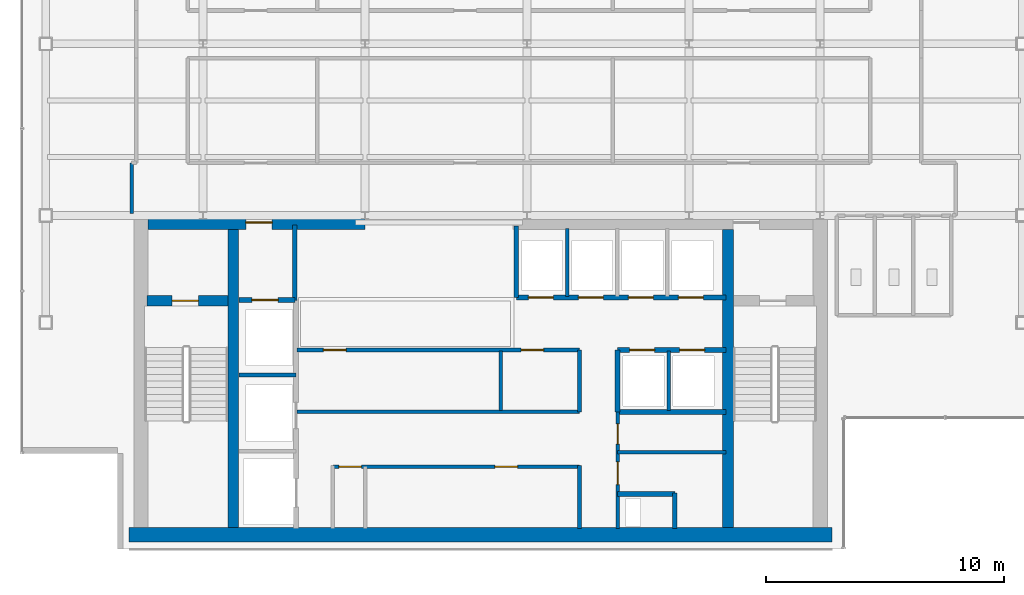
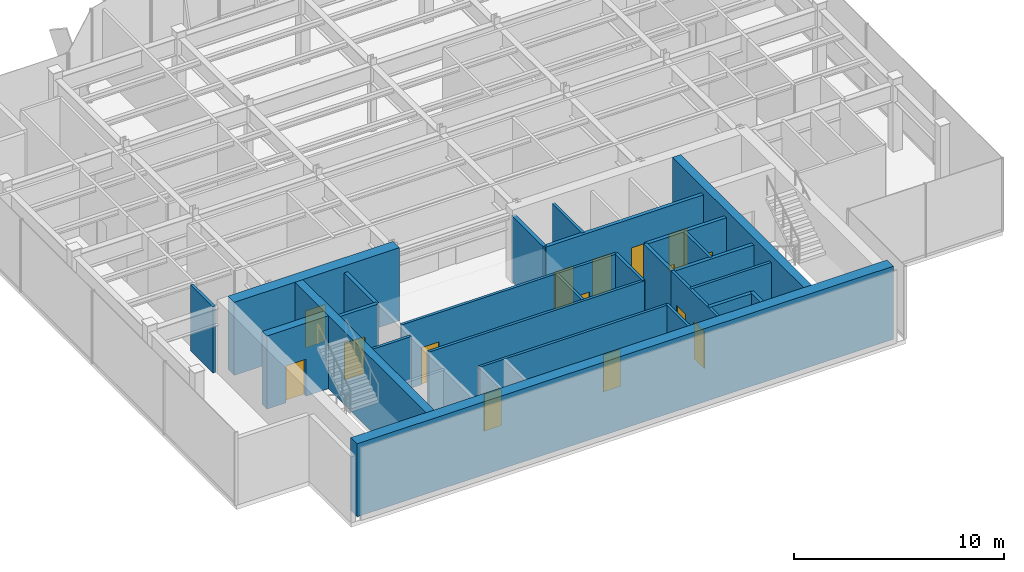
# One storey, part 19 of 24: 26 walls, 15 doors, 15 openings.
"""IFC4 building model written with IfcOpenShell, lengths in metres."""

from ifc_helpers import new_model, si_unit, derived_unit, direction, frame, frame_2d, origin, place, context, subcontext, project, spatial, rectangle, extrude, source, transform, mapped, material, layer, layer_set, type_object, element, fill, save


model = new_model("IFC4")

# Units and contexts
model_context = context("Model", 3, precision=1e-05, world=origin(), true_north=direction((0.0, 1.0)))
body_context = subcontext(model_context, "Body", "Model", "MODEL_VIEW")
ifc_project = project(units=[si_unit("LENGTHUNIT", "METRE"), si_unit("AREAUNIT", "SQUARE_METRE"), si_unit("VOLUMEUNIT", "CUBIC_METRE"), si_unit("PLANEANGLEUNIT", "RADIAN"), si_unit("MASSUNIT", "GRAM", prefix="KILO"), derived_unit("THERMALTRANSMITTANCEUNIT", [(si_unit("POWERUNIT", "WATT"), 1), (si_unit("LENGTHUNIT", "METRE"), -2), (si_unit("THERMODYNAMICTEMPERATUREUNIT", "KELVIN"), -1)])], contexts=[model_context])

# Site, building, storey
site_placement = place(None, origin())
site = spatial("IfcSite", under=ifc_project, at=site_placement, CompositionType="ELEMENT")
building_placement = place(site_placement, origin())
building = spatial("IfcBuilding", under=site, at=building_placement, Name="Skarnbrae Concourse Arena and Tower", CompositionType="ELEMENT")
storey_placement = place(building_placement, frame((0.0, 0.0, 288.0)))
storey = spatial("IfcBuildingStorey", under=building, at=storey_placement, Name="L75", CompositionType="ELEMENT", Elevation=288.0)

# Wall
ifc_material_1 = material(Name="Concrete 50 MPa (C50/60)", Category="concrete")
ifc_layer_1 = layer(ifc_material_1, 0.60009765625)
ifc_layer_set_1 = layer_set([ifc_layer_1], Name="Concrete 50 MPa (C50/60)")
wall_type_1 = type_object("IfcWallType", Name="WALL-CORE-600-C50", PredefinedType="SHEAR", material=ifc_layer_set_1)
shared_shape_1 = source(origin(), body_context, "Body", "SweptSolid", [
    extrude(rectangle(XDim=29.5, YDim=0.60009765625, at=frame_2d((14.75, 0.0))), origin(), (0.0, 0.0, 1.0), 4.25),
])
wall_1_placement = place(storey_placement, frame((4.5, 0.60009765625, 0.0), z_axis=(0.0, 0.0, 1.0), x_axis=(1.0, 0.0, 0.0)))
element("IfcWall", 1, at=wall_1_placement, inside=storey, type_object=wall_type_1, Name="L75 Rear core shear wall CW-S", PredefinedType="SHEAR", context=body_context, shape_type="MappedRepresentation", body=[
    mapped(shared_shape_1, transform((0.0, 0.0, 0.0))),
])

# Wall, opening, door
shared_shape_2 = source(origin(), body_context, "Body", "SweptSolid", [
    extrude(rectangle(XDim=9.099853515625, YDim=0.60009765625, at=frame_2d((4.5498046875, 0.0))), origin(), (0.0, 0.0, 1.0), 4.25),
])
wall_2_placement = place(storey_placement, frame((5.300048828125, 13.699951171875, 0.0), z_axis=(0.0, 0.0, 1.0), x_axis=(1.0, 0.0, 0.0)))
wall_2 = element("IfcWall", 2, at=wall_2_placement, inside=storey, type_object=wall_type_1, Name="L75 Rear core shear wall CW-NW", PredefinedType="SHEAR", context=body_context, shape_type="MappedRepresentation", body=[
    mapped(shared_shape_2, transform((0.0, 0.0, 0.0))),
])
opening_1_placement = place(wall_2_placement, frame((4.10009765625, 0.0, 0.0)))
opening_1 = element("IfcOpeningElement", 3, at=opening_1_placement, cuts=wall_2, Name="Opening DT-03", PredefinedType="OPENING", context=body_context, shape_type="SweptSolid", body=[
    extrude(rectangle(XDim=1.10009765625, YDim=2.14990234375, at=frame_2d((0.550048828125, 1.074951171875))), frame((0.0, 0.31005859375, 0.0), z_axis=(0.0, -1.0, 0.0), x_axis=(1.0, 0.0, 0.0)), (0.0, 0.0, 1.0), 0.6201171875),
])
ifc_material_2 = material(Name="Steel CSA G40.21 350W", Category="steel")
door_type_1 = type_object("IfcDoorType", Name="DOOR-FIRE-1100-90M", OperationType="NOTDEFINED", PredefinedType="DOOR", material=ifc_material_2)
shared_shape_3 = source(origin(), body_context, "Body", "SweptSolid", [
    extrude(rectangle(XDim=1.10009765625, YDim=2.14990234375, at=frame_2d((0.550048828125, 1.074951171875))), frame((0.0, 0.02490234375, 0.0), z_axis=(0.0, -1.0, 0.0), x_axis=(1.0, 0.0, 0.0)), (0.0, 0.0, 1.0), 0.050048828125),
])
door_1_placement = place(opening_1_placement, origin())
door_1 = element("IfcDoor", 4, at=door_1_placement, inside=storey, type_object=door_type_1, Name="D-2264 Firefighting Lobby Exit Door", OperationType="SINGLE_SWING_RIGHT", OverallHeight=2.14990234375, OverallWidth=1.10009765625, PredefinedType="DOOR", context=body_context, shape_type="MappedRepresentation", body=[
    mapped(shared_shape_3, transform((0.0, 0.0, 0.0))),
])
fill(opening_1, door_1)

# Walls
ifc_layer_2 = layer(ifc_material_1, 0.449951171875)
ifc_layer_set_2 = layer_set([ifc_layer_2], Name="Concrete 50 MPa (C50/60)")
wall_type_2 = type_object("IfcWallType", Name="WALL-CORE-450-C50", PredefinedType="SHEAR", material=ifc_layer_set_2)
shared_shape_4 = source(origin(), body_context, "Body", "SweptSolid", [
    extrude(rectangle(XDim=12.5, YDim=0.449951171875, at=frame_2d((6.25, 0.0))), origin(), (0.0, 0.0, 1.0), 4.25),
])
for number, where, z_axis, x_axis, name in (
    (5, (8.864990234375, 0.89990234375, 0.0), (0.0, 0.0, 1.0), (0.0, 1.0, 0.0), "L75 Rear core shear wall CW-WEB-W"),
    (6, (29.635009765625, 0.89990234375, 0.0), (0.0, 0.0, 1.0), (0.0, 1.0, 0.0), "L75 Rear core shear wall CW-WEB-E"),
):
    element("IfcWall", number, at=place(storey_placement, frame(where, z_axis=z_axis, x_axis=x_axis)), inside=storey, type_object=wall_type_2, Name=name, PredefinedType="SHEAR", context=body_context, shape_type="MappedRepresentation", body=[
        mapped(shared_shape_4, transform((0.0, 0.0, 0.0))),
    ])

# Wall, opening, door
shared_shape_5 = source(origin(), body_context, "Body", "SweptSolid", [
    extrude(rectangle(XDim=3.389892578125, YDim=0.449951171875, at=frame_2d((1.69482421875, 0.0))), origin(), (0.0, 0.0, 1.0), 4.25),
])
wall_3_placement = place(storey_placement, frame((5.25, 10.419921875, 0.0), z_axis=(0.0, 0.0, 1.0), x_axis=(1.0, 0.0, 0.0)))
wall_3 = element("IfcWall", 7, at=wall_3_placement, inside=storey, type_object=wall_type_2, Name="L75 Rear core shear wall CW-ST1-N", PredefinedType="SHEAR", context=body_context, shape_type="MappedRepresentation", body=[
    mapped(shared_shape_5, transform((0.0, 0.0, 0.0))),
])
opening_2_placement = place(wall_3_placement, frame((1.050048828125, 0.0, 0.0)))
opening_2 = element("IfcOpeningElement", 8, at=opening_2_placement, cuts=wall_3, Name="Opening DT-03", PredefinedType="OPENING", context=body_context, shape_type="SweptSolid", body=[
    extrude(rectangle(XDim=1.10009765625, YDim=2.14990234375, at=frame_2d((0.550048828125, 1.074951171875))), frame((0.0, 0.23486328125, 0.0), z_axis=(0.0, -1.0, 0.0), x_axis=(1.0, 0.0, 0.0)), (0.0, 0.0, 1.0), 0.469970703125),
])
door_2_placement = place(opening_2_placement, frame((1.10009765625, 0.0, 0.0), z_axis=(0.0, 0.0, 1.0), x_axis=(-1.0, 0.0, 0.0)))
door_2 = element("IfcDoor", 9, at=door_2_placement, inside=storey, type_object=door_type_1, Name="D-2262 Stair ST-1 Door", OperationType="SINGLE_SWING_LEFT", OverallHeight=2.14990234375, OverallWidth=1.10009765625, PredefinedType="DOOR", context=body_context, shape_type="MappedRepresentation", body=[
    mapped(shared_shape_3, transform((0.0, 0.0, 0.0))),
])
fill(opening_2, door_2)

# Wall
ifc_material_3 = material(Name="Gypsum board on cold-formed steel studs", Category="steel")
ifc_layer_3 = layer(ifc_material_3, 0.199951171875)
ifc_layer_set_3 = layer_set([ifc_layer_3], Name="Gypsum board on cold-formed steel studs")
wall_type_3 = type_object("IfcWallType", Name="WALL-PART-200-2HR", PredefinedType="PARTITIONING", material=ifc_layer_set_3)
shared_shape_6 = source(origin(), body_context, "Body", "SweptSolid", [
    extrude(rectangle(XDim=3.18017578125, YDim=0.199951171875, at=frame_2d((1.590087890625, 0.0))), origin(), (0.0, 0.0, 1.0), 3.85009765625),
])
wall_4_placement = place(storey_placement, frame((11.449951171875, 10.419921875, 0.0), z_axis=(0.0, 0.0, 1.0), x_axis=(0.0, 1.0, 0.0)))
element("IfcWall", 10, at=wall_4_placement, inside=storey, type_object=wall_type_3, Name="L75 Interior partition wall W-L75-FFL-E", PredefinedType="PARTITIONING", context=body_context, shape_type="MappedRepresentation", body=[
    mapped(shared_shape_6, transform((0.0, 0.0, 0.0))),
])

# Wall, opening, door
shared_shape_7 = source(origin(), body_context, "Body", "SweptSolid", [
    extrude(rectangle(XDim=2.349853515625, YDim=0.199951171875, at=frame_2d((1.1748046875, 0.0))), origin(), (0.0, 0.0, 1.0), 3.85009765625),
])
wall_5_placement = place(storey_placement, frame((9.10009765625, 10.449951171875, 0.0), z_axis=(0.0, 0.0, 1.0), x_axis=(1.0, 0.0, 0.0)))
wall_5 = element("IfcWall", 11, at=wall_5_placement, inside=storey, type_object=wall_type_3, Name="L75 Interior partition wall W-L75-FL1-N", PredefinedType="PARTITIONING", context=body_context, shape_type="MappedRepresentation", body=[
    mapped(shared_shape_7, transform((0.0, 0.0, 0.0))),
])
opening_3_placement = place(wall_5_placement, frame((0.550048828125, 0.0, 0.0)))
opening_3 = element("IfcOpeningElement", 12, at=opening_3_placement, cuts=wall_5, Name="Opening LD-01", PredefinedType="OPENING", context=body_context, shape_type="SweptSolid", body=[
    extrude(rectangle(XDim=1.10009765625, YDim=2.14990234375, at=frame_2d((0.550048828125, 1.074951171875))), frame((0.0, 0.10986328125, 0.0), z_axis=(0.0, -1.0, 0.0), x_axis=(1.0, 0.0, 0.0)), (0.0, 0.0, 1.0), 0.219970703125),
])
door_type_2 = type_object("IfcDoorType", Name="DOOR-LIFT-SLIDE-1100", OperationType="SLIDING_TO_LEFT", PredefinedType="DOOR", material=ifc_material_2)
door_3_placement = place(opening_3_placement, origin())
door_3 = element("IfcDoor", 13, at=door_3_placement, inside=storey, type_object=door_type_2, Name="D-2266 Firefighting Lift Landing Door FL-01", OperationType="SLIDING_TO_LEFT", OverallHeight=2.14990234375, OverallWidth=1.10009765625, PredefinedType="DOOR", context=body_context, shape_type="MappedRepresentation", body=[
    mapped(shared_shape_3, transform((0.0, 0.0, 0.0))),
])
fill(opening_3, door_3)

# Walls
ifc_layer_4 = layer(ifc_material_3, 0.14990234375)
ifc_layer_set_4 = layer_set([ifc_layer_4], Name="Gypsum board on cold-formed steel studs")
wall_type_4 = type_object("IfcWallType", Name="WALL-PART-150", PredefinedType="PARTITIONING", material=ifc_layer_set_4)
shared_shape_8 = source(origin(), body_context, "Body", "SweptSolid", [
    extrude(rectangle(XDim=2.39990234375, YDim=0.14990234375, at=frame_2d((1.199951171875, 0.0))), origin(), (0.0, 0.0, 1.0), 3.85009765625),
])
wall_6_placement = place(storey_placement, frame((9.10009765625, 7.300048828125, 0.0), z_axis=(0.0, 0.0, 1.0), x_axis=(1.0, 0.0, 0.0)))
element("IfcWall", 14, at=wall_6_placement, inside=storey, type_object=wall_type_4, Name="L75 Interior partition wall W-L75-FL-D2", PredefinedType="PARTITIONING", context=body_context, shape_type="MappedRepresentation", body=[
    mapped(shared_shape_8, transform((0.0, 0.0, 0.0))),
])
ifc_layer_5 = layer(ifc_material_3, 0.14990234375)
ifc_layer_set_5 = layer_set([ifc_layer_5], Name="Gypsum board on cold-formed steel studs")
wall_type_5 = type_object("IfcWallType", Name="WALL-PART-150-1HR", PredefinedType="PARTITIONING", material=ifc_layer_set_5)
shared_shape_9 = source(origin(), body_context, "Body", "SweptSolid", [
    extrude(rectangle(XDim=2.64990234375, YDim=0.14990234375, at=frame_2d((1.324951171875, 0.0))), origin(), (0.0, 0.0, 1.0), 3.85009765625),
])
wall_7_placement = place(storey_placement, frame((23.39990234375, 0.85009765625, 0.0), z_axis=(0.0, 0.0, 1.0), x_axis=(0.0, 1.0, 0.0)))
element("IfcWall", 15, at=wall_7_placement, inside=storey, type_object=wall_type_5, Name="L75 Interior partition wall W-L75-B1M-E", PredefinedType="PARTITIONING", context=body_context, shape_type="MappedRepresentation", body=[
    mapped(shared_shape_9, transform((0.0, 0.0, 0.0))),
])

# Wall, openings, doors
shared_shape_10 = source(origin(), body_context, "Body", "SweptSolid", [
    extrude(rectangle(XDim=10.349853515625, YDim=0.14990234375, at=frame_2d((5.1748046875, 0.0))), origin(), (0.0, 0.0, 1.0), 3.85009765625),
])
wall_8_placement = place(storey_placement, frame((13.050048828125, 3.449951171875, 0.0), z_axis=(0.0, 0.0, 1.0), x_axis=(1.0, 0.0, 0.0)))
wall_8 = element("IfcWall", 16, at=wall_8_placement, inside=storey, type_object=wall_type_5, Name="L75 Interior partition wall W-L75-B1M-N", PredefinedType="PARTITIONING", context=body_context, shape_type="MappedRepresentation", body=[
    mapped(shared_shape_10, transform((0.0, 0.0, 0.0))),
])
opening_4_placement = place(wall_8_placement, frame((0.25, 0.0, 0.0)))
opening_4 = element("IfcOpeningElement", 17, at=opening_4_placement, cuts=wall_8, Name="Opening DT-04", PredefinedType="OPENING", context=body_context, shape_type="SweptSolid", body=[
    extrude(rectangle(XDim=0.949951171875, YDim=2.14990234375, at=frame_2d((0.47509765625, 1.074951171875))), frame((0.0, 0.0849609375, 0.0), z_axis=(0.0, -1.0, 0.0), x_axis=(1.0, 0.0, 0.0)), (0.0, 0.0, 1.0), 0.169921875),
])
opening_5_placement = place(wall_8_placement, frame((6.800048828125, 0.0, 0.0)))
opening_5 = element("IfcOpeningElement", 18, at=opening_5_placement, cuts=wall_8, Name="Opening DT-04", PredefinedType="OPENING", context=body_context, shape_type="SweptSolid", body=[
    extrude(rectangle(XDim=0.949951171875, YDim=2.14990234375, at=frame_2d((0.47509765625, 1.074951171875))), frame((0.0, 0.0849609375, 0.0), z_axis=(0.0, -1.0, 0.0), x_axis=(1.0, 0.0, 0.0)), (0.0, 0.0, 1.0), 0.169921875),
])
door_type_3 = type_object("IfcDoorType", Name="DOOR-INT-950-45M", OperationType="NOTDEFINED", PredefinedType="DOOR", material=ifc_material_2)
shared_shape_11 = source(origin(), body_context, "Body", "SweptSolid", [
    extrude(rectangle(XDim=0.949951171875, YDim=2.14990234375, at=frame_2d((0.47509765625, 1.074951171875))), frame((0.0, 0.02490234375, 0.0), z_axis=(0.0, -1.0, 0.0), x_axis=(1.0, 0.0, 0.0)), (0.0, 0.0, 1.0), 0.050048828125),
])
door_4_placement = place(opening_4_placement, origin())
door_4 = element("IfcDoor", 19, at=door_4_placement, inside=storey, type_object=door_type_3, Name="D-2269 First Aid Room Door", OperationType="SINGLE_SWING_LEFT", OverallHeight=2.14990234375, OverallWidth=0.949951171875, PredefinedType="DOOR", context=body_context, shape_type="MappedRepresentation", body=[
    mapped(shared_shape_11, transform((0.0, 0.0, 0.0))),
])
fill(opening_4, door_4)
door_5_placement = place(opening_5_placement, origin())
door_5 = element("IfcDoor", 20, at=door_5_placement, inside=storey, type_object=door_type_3, Name="D-2270 Archive Room Door", OperationType="SINGLE_SWING_RIGHT", OverallHeight=2.14990234375, OverallWidth=0.949951171875, PredefinedType="DOOR", context=body_context, shape_type="MappedRepresentation", body=[
    mapped(shared_shape_11, transform((0.0, 0.0, 0.0))),
])
fill(opening_5, door_5)

# Wall
shared_shape_12 = source(origin(), body_context, "Body", "SweptSolid", [
    extrude(rectangle(XDim=11.849853515625, YDim=0.14990234375, at=frame_2d((5.9248046875, 0.0))), origin(), (0.0, 0.0, 1.0), 3.85009765625),
])
wall_9_placement = place(storey_placement, frame((11.550048828125, 5.75, 0.0), z_axis=(0.0, 0.0, 1.0), x_axis=(1.0, 0.0, 0.0)))
element("IfcWall", 21, at=wall_9_placement, inside=storey, type_object=wall_type_5, Name="L75 Interior partition wall W-L75-B2M-S", PredefinedType="PARTITIONING", context=body_context, shape_type="MappedRepresentation", body=[
    mapped(shared_shape_12, transform((0.0, 0.0, 0.0))),
])

# Wall, openings, doors
wall_10_placement = place(storey_placement, frame((11.550048828125, 8.35009765625, 0.0), z_axis=(0.0, 0.0, 1.0), x_axis=(1.0, 0.0, 0.0)))
wall_10 = element("IfcWall", 22, at=wall_10_placement, inside=storey, type_object=wall_type_5, Name="L75 Interior partition wall W-L75-B2M-N", PredefinedType="PARTITIONING", context=body_context, shape_type="MappedRepresentation", body=[
    mapped(shared_shape_12, transform((0.0, 0.0, 0.0))),
])
opening_6_placement = place(wall_10_placement, frame((1.10009765625, 0.0, 0.0)))
opening_6 = element("IfcOpeningElement", 23, at=opening_6_placement, cuts=wall_10, Name="Opening DT-04", PredefinedType="OPENING", context=body_context, shape_type="SweptSolid", body=[
    extrude(rectangle(XDim=0.949951171875, YDim=2.14990234375, at=frame_2d((0.47509765625, 1.074951171875))), frame((0.0, 0.0849609375, 0.0), z_axis=(0.0, -1.0, 0.0), x_axis=(1.0, 0.0, 0.0)), (0.0, 0.0, 1.0), 0.169921875),
])
opening_7_placement = place(wall_10_placement, frame((9.39990234375, 0.0, 0.0)))
opening_7 = element("IfcOpeningElement", 24, at=opening_7_placement, cuts=wall_10, Name="Opening DT-04", PredefinedType="OPENING", context=body_context, shape_type="SweptSolid", body=[
    extrude(rectangle(XDim=0.949951171875, YDim=2.14990234375, at=frame_2d((0.47509765625, 1.074951171875))), frame((0.0, 0.0849609375, 0.0), z_axis=(0.0, -1.0, 0.0), x_axis=(1.0, 0.0, 0.0)), (0.0, 0.0, 1.0), 0.169921875),
])
door_6_placement = place(opening_6_placement, origin())
door_6 = element("IfcDoor", 25, at=door_6_placement, inside=storey, type_object=door_type_3, Name="D-2271 High-Zone Data Door", OperationType="SINGLE_SWING_RIGHT", OverallHeight=2.14990234375, OverallWidth=0.949951171875, PredefinedType="DOOR", context=body_context, shape_type="MappedRepresentation", body=[
    mapped(shared_shape_11, transform((0.0, 0.0, 0.0))),
])
fill(opening_6, door_6)
door_7_placement = place(opening_7_placement, origin())
door_7 = element("IfcDoor", 26, at=door_7_placement, inside=storey, type_object=door_type_3, Name="D-2272 Reprographics Door", OperationType="SINGLE_SWING_LEFT", OverallHeight=2.14990234375, OverallWidth=0.949951171875, PredefinedType="DOOR", context=body_context, shape_type="MappedRepresentation", body=[
    mapped(shared_shape_11, transform((0.0, 0.0, 0.0))),
])
fill(opening_7, door_7)

# Walls
shared_shape_13 = source(origin(), body_context, "Body", "SweptSolid", [
    extrude(rectangle(XDim=2.60009765625, YDim=0.14990234375, at=frame_2d((1.300048828125, 0.0))), origin(), (0.0, 0.0, 1.0), 3.85009765625),
])
wall_11_placement = place(storey_placement, frame((23.39990234375, 5.75, 0.0), z_axis=(0.0, 0.0, 1.0), x_axis=(0.0, 1.0, 0.0)))
element("IfcWall", 27, at=wall_11_placement, inside=storey, type_object=wall_type_5, Name="L75 Interior partition wall W-L75-B2M-E", PredefinedType="PARTITIONING", context=body_context, shape_type="MappedRepresentation", body=[
    mapped(shared_shape_13, transform((0.0, 0.0, 0.0))),
])
shared_shape_14 = source(origin(), body_context, "Body", "SweptSolid", [
    extrude(rectangle(XDim=2.5, YDim=0.14990234375, at=frame_2d((1.25, 0.0))), origin(), (0.0, 0.0, 1.0), 3.85009765625),
])
for number, where, z_axis, x_axis, name in (
    (28, (20.10009765625, 5.800048828125, 0.0), (0.0, 0.0, 1.0), (0.0, 1.0, 0.0), "L75 Interior partition wall W-L75-B2M-MID"),
    (29, (27.139892578125, 5.800048828125, 0.0), (0.0, 0.0, 1.0), (0.0, 1.0, 0.0), "L75 Interior partition wall W-L75-B3S-P1"),
):
    element("IfcWall", number, at=place(storey_placement, frame(where, z_axis=z_axis, x_axis=x_axis)), inside=storey, type_object=wall_type_4, Name=name, PredefinedType="PARTITIONING", context=body_context, shape_type="MappedRepresentation", body=[
        mapped(shared_shape_14, transform((0.0, 0.0, 0.0))),
    ])

# Wall, openings, doors
shared_shape_15 = source(origin(), body_context, "Body", "SweptSolid", [
    extrude(rectangle(XDim=8.800048828125, YDim=0.199951171875, at=frame_2d((4.39990234375, 0.0))), origin(), (0.0, 0.0, 1.0), 3.85009765625),
])
wall_12_placement = place(storey_placement, frame((20.75, 10.550048828125, 0.0), z_axis=(0.0, 0.0, 1.0), x_axis=(1.0, 0.0, 0.0)))
wall_12 = element("IfcWall", 30, at=wall_12_placement, inside=storey, type_object=wall_type_3, Name="L75 Interior partition wall W-L75-B3N-S", PredefinedType="PARTITIONING", context=body_context, shape_type="MappedRepresentation", body=[
    mapped(shared_shape_15, transform((0.0, 0.0, 0.0))),
])
opening_8_placement = place(wall_12_placement, frame((0.5, 0.0, 0.0)))
opening_8 = element("IfcOpeningElement", 31, at=opening_8_placement, cuts=wall_12, Name="Opening LD-04", PredefinedType="OPENING", context=body_context, shape_type="SweptSolid", body=[
    extrude(rectangle(XDim=1.050048828125, YDim=2.14990234375, at=frame_2d((0.52490234375, 1.074951171875))), frame((0.0, 0.10986328125, 0.0), z_axis=(0.0, -1.0, 0.0), x_axis=(1.0, 0.0, 0.0)), (0.0, 0.0, 1.0), 0.219970703125),
])
opening_9_placement = place(wall_12_placement, frame((2.60009765625, 0.0, 0.0)))
opening_9 = element("IfcOpeningElement", 32, at=opening_9_placement, cuts=wall_12, Name="Opening LD-04", PredefinedType="OPENING", context=body_context, shape_type="SweptSolid", body=[
    extrude(rectangle(XDim=1.050048828125, YDim=2.14990234375, at=frame_2d((0.52490234375, 1.074951171875))), frame((0.0, 0.10986328125, 0.0), z_axis=(0.0, -1.0, 0.0), x_axis=(1.0, 0.0, 0.0)), (0.0, 0.0, 1.0), 0.219970703125),
])
opening_10_placement = place(wall_12_placement, frame((4.699951171875, 0.0, 0.0)))
opening_10 = element("IfcOpeningElement", 33, at=opening_10_placement, cuts=wall_12, Name="Opening LD-04", PredefinedType="OPENING", context=body_context, shape_type="SweptSolid", body=[
    extrude(rectangle(XDim=1.050048828125, YDim=2.14990234375, at=frame_2d((0.52490234375, 1.074951171875))), frame((0.0, 0.10986328125, 0.0), z_axis=(0.0, -1.0, 0.0), x_axis=(1.0, 0.0, 0.0)), (0.0, 0.0, 1.0), 0.219970703125),
])
opening_11_placement = place(wall_12_placement, frame((6.800048828125, 0.0, 0.0)))
opening_11 = element("IfcOpeningElement", 34, at=opening_11_placement, cuts=wall_12, Name="Opening LD-04", PredefinedType="OPENING", context=body_context, shape_type="SweptSolid", body=[
    extrude(rectangle(XDim=1.050048828125, YDim=2.14990234375, at=frame_2d((0.52490234375, 1.074951171875))), frame((0.0, 0.10986328125, 0.0), z_axis=(0.0, -1.0, 0.0), x_axis=(1.0, 0.0, 0.0)), (0.0, 0.0, 1.0), 0.219970703125),
])
ifc_material_4 = material(Name="Bronze anodised aluminium 6063-T6", Category="aluminium")
door_type_4 = type_object("IfcDoorType", Name="DOOR-LIFT-SLIDE-1050H", OperationType="SLIDING_TO_LEFT", PredefinedType="DOOR", material=ifc_material_4)
shared_shape_16 = source(origin(), body_context, "Body", "SweptSolid", [
    extrude(rectangle(XDim=1.050048828125, YDim=2.14990234375, at=frame_2d((0.52490234375, 1.074951171875))), frame((0.0, 0.02490234375, 0.0), z_axis=(0.0, -1.0, 0.0), x_axis=(1.0, 0.0, 0.0)), (0.0, 0.0, 1.0), 0.050048828125),
])
door_8_placement = place(opening_8_placement, frame((1.050048828125, 0.0, 0.0), z_axis=(0.0, 0.0, 1.0), x_axis=(-1.0, 0.0, 0.0)))
door_8 = element("IfcDoor", 35, at=door_8_placement, inside=storey, type_object=door_type_4, Name="D-2273 Passenger Lift Landing Door PL-3A", OperationType="SLIDING_TO_LEFT", OverallHeight=2.14990234375, OverallWidth=1.050048828125, PredefinedType="DOOR", context=body_context, shape_type="MappedRepresentation", body=[
    mapped(shared_shape_16, transform((0.0, 0.0, 0.0))),
])
fill(opening_8, door_8)
door_9_placement = place(opening_9_placement, frame((1.050048828125, 0.0, 0.0), z_axis=(0.0, 0.0, 1.0), x_axis=(-1.0, 0.0, 0.0)))
door_9 = element("IfcDoor", 36, at=door_9_placement, inside=storey, type_object=door_type_4, Name="D-2274 Passenger Lift Landing Door PL-3B", OperationType="SLIDING_TO_LEFT", OverallHeight=2.14990234375, OverallWidth=1.050048828125, PredefinedType="DOOR", context=body_context, shape_type="MappedRepresentation", body=[
    mapped(shared_shape_16, transform((0.0, 0.0, 0.0))),
])
fill(opening_9, door_9)
door_10_placement = place(opening_10_placement, frame((1.050048828125, 0.0, 0.0), z_axis=(0.0, 0.0, 1.0), x_axis=(-1.0, 0.0, 0.0)))
door_10 = element("IfcDoor", 37, at=door_10_placement, inside=storey, type_object=door_type_4, Name="D-2275 Passenger Lift Landing Door PL-3C", OperationType="SLIDING_TO_LEFT", OverallHeight=2.14990234375, OverallWidth=1.050048828125, PredefinedType="DOOR", context=body_context, shape_type="MappedRepresentation", body=[
    mapped(shared_shape_16, transform((0.0, 0.0, 0.0))),
])
fill(opening_10, door_10)
door_11_placement = place(opening_11_placement, frame((1.050048828125, 0.0, 0.0), z_axis=(0.0, 0.0, 1.0), x_axis=(-1.0, 0.0, 0.0)))
door_11 = element("IfcDoor", 38, at=door_11_placement, inside=storey, type_object=door_type_4, Name="D-2276 Passenger Lift Landing Door PL-3D", OperationType="SLIDING_TO_LEFT", OverallHeight=2.14990234375, OverallWidth=1.050048828125, PredefinedType="DOOR", context=body_context, shape_type="MappedRepresentation", body=[
    mapped(shared_shape_16, transform((0.0, 0.0, 0.0))),
])
fill(opening_11, door_11)

# Walls
shared_shape_17 = source(origin(), body_context, "Body", "SweptSolid", [
    extrude(rectangle(XDim=3.0, YDim=0.199951171875, at=frame_2d((1.5, 0.0))), origin(), (0.0, 0.0, 1.0), 3.85009765625),
])
wall_13_placement = place(storey_placement, frame((20.75, 10.550048828125, 0.0), z_axis=(0.0, 0.0, 1.0), x_axis=(0.0, 1.0, 0.0)))
element("IfcWall", 39, at=wall_13_placement, inside=storey, type_object=wall_type_3, Name="L75 Interior partition wall W-L75-B3N-W", PredefinedType="PARTITIONING", context=body_context, shape_type="MappedRepresentation", body=[
    mapped(shared_shape_17, transform((0.0, 0.0, 0.0))),
])
shared_shape_18 = source(origin(), body_context, "Body", "SweptSolid", [
    extrude(rectangle(XDim=2.849853515625, YDim=0.14990234375, at=frame_2d((1.4248046875, 0.0))), origin(), (0.0, 0.0, 1.0), 3.85009765625),
])
wall_14_placement = place(storey_placement, frame((22.889892578125, 10.60009765625, 0.0), z_axis=(0.0, 0.0, 1.0), x_axis=(0.0, 1.0, 0.0)))
element("IfcWall", 40, at=wall_14_placement, inside=storey, type_object=wall_type_4, Name="L75 Interior partition wall W-L75-B3N-P1", PredefinedType="PARTITIONING", context=body_context, shape_type="MappedRepresentation", body=[
    mapped(shared_shape_18, transform((0.0, 0.0, 0.0))),
])

# Wall, openings, doors
shared_shape_19 = source(origin(), body_context, "Body", "SweptSolid", [
    extrude(rectangle(XDim=4.550048828125, YDim=0.199951171875, at=frame_2d((2.27490234375, 0.0))), origin(), (0.0, 0.0, 1.0), 3.85009765625),
])
wall_15_placement = place(storey_placement, frame((25.0, 8.35009765625, 0.0), z_axis=(0.0, 0.0, 1.0), x_axis=(1.0, 0.0, 0.0)))
wall_15 = element("IfcWall", 41, at=wall_15_placement, inside=storey, type_object=wall_type_3, Name="L75 Interior partition wall W-L75-B3S-N", PredefinedType="PARTITIONING", context=body_context, shape_type="MappedRepresentation", body=[
    mapped(shared_shape_19, transform((0.0, 0.0, 0.0))),
])
opening_12_placement = place(wall_15_placement, frame((0.5, 0.0, 0.0)))
opening_12 = element("IfcOpeningElement", 42, at=opening_12_placement, cuts=wall_15, Name="Opening LD-04", PredefinedType="OPENING", context=body_context, shape_type="SweptSolid", body=[
    extrude(rectangle(XDim=1.050048828125, YDim=2.14990234375, at=frame_2d((0.52490234375, 1.074951171875))), frame((0.0, 0.10986328125, 0.0), z_axis=(0.0, -1.0, 0.0), x_axis=(1.0, 0.0, 0.0)), (0.0, 0.0, 1.0), 0.219970703125),
])
opening_13_placement = place(wall_15_placement, frame((2.60009765625, 0.0, 0.0)))
opening_13 = element("IfcOpeningElement", 43, at=opening_13_placement, cuts=wall_15, Name="Opening LD-04", PredefinedType="OPENING", context=body_context, shape_type="SweptSolid", body=[
    extrude(rectangle(XDim=1.050048828125, YDim=2.14990234375, at=frame_2d((0.52490234375, 1.074951171875))), frame((0.0, 0.10986328125, 0.0), z_axis=(0.0, -1.0, 0.0), x_axis=(1.0, 0.0, 0.0)), (0.0, 0.0, 1.0), 0.219970703125),
])
door_12_placement = place(opening_12_placement, origin())
door_12 = element("IfcDoor", 44, at=door_12_placement, inside=storey, type_object=door_type_4, Name="D-2277 Passenger Lift Landing Door PL-3E", OperationType="SLIDING_TO_LEFT", OverallHeight=2.14990234375, OverallWidth=1.050048828125, PredefinedType="DOOR", context=body_context, shape_type="MappedRepresentation", body=[
    mapped(shared_shape_16, transform((0.0, 0.0, 0.0))),
])
fill(opening_12, door_12)
door_13_placement = place(opening_13_placement, origin())
door_13 = element("IfcDoor", 45, at=door_13_placement, inside=storey, type_object=door_type_4, Name="D-2278 Passenger Lift Landing Door PL-3F", OperationType="SLIDING_TO_LEFT", OverallHeight=2.14990234375, OverallWidth=1.050048828125, PredefinedType="DOOR", context=body_context, shape_type="MappedRepresentation", body=[
    mapped(shared_shape_16, transform((0.0, 0.0, 0.0))),
])
fill(opening_13, door_13)

# Walls
wall_16_placement = place(storey_placement, frame((25.0, 5.75, 0.0), z_axis=(0.0, 0.0, 1.0), x_axis=(1.0, 0.0, 0.0)))
element("IfcWall", 46, at=wall_16_placement, inside=storey, type_object=wall_type_3, Name="L75 Interior partition wall W-L75-B3S-S", PredefinedType="PARTITIONING", context=body_context, shape_type="MappedRepresentation", body=[
    mapped(shared_shape_19, transform((0.0, 0.0, 0.0))),
])
shared_shape_20 = source(origin(), body_context, "Body", "SweptSolid", [
    extrude(rectangle(XDim=2.60009765625, YDim=0.199951171875, at=frame_2d((1.300048828125, 0.0))), origin(), (0.0, 0.0, 1.0), 3.85009765625),
])
wall_17_placement = place(storey_placement, frame((25.0, 5.75, 0.0), z_axis=(0.0, 0.0, 1.0), x_axis=(0.0, 1.0, 0.0)))
element("IfcWall", 47, at=wall_17_placement, inside=storey, type_object=wall_type_3, Name="L75 Interior partition wall W-L75-B3S-W", PredefinedType="PARTITIONING", context=body_context, shape_type="MappedRepresentation", body=[
    mapped(shared_shape_20, transform((0.0, 0.0, 0.0))),
])

# Wall, openings, doors
shared_shape_21 = source(origin(), body_context, "Body", "SweptSolid", [
    extrude(rectangle(XDim=4.89990234375, YDim=0.14990234375, at=frame_2d((2.449951171875, 0.0))), origin(), (0.0, 0.0, 1.0), 3.85009765625),
])
wall_18_placement = place(storey_placement, frame((25.0, 0.85009765625, 0.0), z_axis=(0.0, 0.0, 1.0), x_axis=(0.0, 1.0, 0.0)))
wall_18 = element("IfcWall", 48, at=wall_18_placement, inside=storey, type_object=wall_type_5, Name="L75 Interior partition wall W-L75-CSV-W", PredefinedType="PARTITIONING", context=body_context, shape_type="MappedRepresentation", body=[
    mapped(shared_shape_21, transform((0.0, 0.0, 0.0))),
])
opening_14_placement = place(wall_18_placement, frame((1.85009765625, 0.0, 0.0)))
opening_14 = element("IfcOpeningElement", 49, at=opening_14_placement, cuts=wall_18, Name="Opening DT-04", PredefinedType="OPENING", context=body_context, shape_type="SweptSolid", body=[
    extrude(rectangle(XDim=0.949951171875, YDim=2.14990234375, at=frame_2d((0.47509765625, 1.074951171875))), frame((0.0, 0.0849609375, 0.0), z_axis=(0.0, -1.0, 0.0), x_axis=(1.0, 0.0, 0.0)), (0.0, 0.0, 1.0), 0.169921875),
])
opening_15_placement = place(wall_18_placement, frame((3.550048828125, 0.0, 0.0)))
opening_15 = element("IfcOpeningElement", 50, at=opening_15_placement, cuts=wall_18, Name="Opening DT-08", PredefinedType="OPENING", context=body_context, shape_type="SweptSolid", body=[
    extrude(rectangle(XDim=0.85009765625, YDim=2.14990234375, at=frame_2d((0.425048828125, 1.074951171875))), frame((0.0, 0.0849609375, 0.0), z_axis=(0.0, -1.0, 0.0), x_axis=(1.0, 0.0, 0.0)), (0.0, 0.0, 1.0), 0.169921875),
])
door_14_placement = place(opening_14_placement, origin())
door_14 = element("IfcDoor", 51, at=door_14_placement, inside=storey, type_object=door_type_3, Name="D-2279 Core Staff WC Door", OperationType="SINGLE_SWING_RIGHT", OverallHeight=2.14990234375, OverallWidth=0.949951171875, PredefinedType="DOOR", context=body_context, shape_type="MappedRepresentation", body=[
    mapped(shared_shape_11, transform((0.0, 0.0, 0.0))),
])
fill(opening_14, door_14)
door_type_5 = type_object("IfcDoorType", Name="DOOR-INT-850-45M", OperationType="NOTDEFINED", PredefinedType="DOOR", material=ifc_material_2)
shared_shape_22 = source(origin(), body_context, "Body", "SweptSolid", [
    extrude(rectangle(XDim=0.85009765625, YDim=2.14990234375, at=frame_2d((0.425048828125, 1.074951171875))), frame((0.0, 0.02490234375, 0.0), z_axis=(0.0, -1.0, 0.0), x_axis=(1.0, 0.0, 0.0)), (0.0, 0.0, 1.0), 0.050048828125),
])
door_15_placement = place(opening_15_placement, origin())
door_15 = element("IfcDoor", 52, at=door_15_placement, inside=storey, type_object=door_type_5, Name="D-2280 IT Patch Room Door", OperationType="SINGLE_SWING_LEFT", OverallHeight=2.14990234375, OverallWidth=0.85009765625, PredefinedType="DOOR", context=body_context, shape_type="MappedRepresentation", body=[
    mapped(shared_shape_22, transform((0.0, 0.0, 0.0))),
])
fill(opening_15, door_15)

# Walls
shared_shape_23 = source(origin(), body_context, "Body", "SweptSolid", [
    extrude(rectangle(XDim=2.39990234375, YDim=0.199951171875, at=frame_2d((1.199951171875, 0.0))), origin(), (0.0, 0.0, 1.0), 3.85009765625),
])
wall_19_placement = place(storey_placement, frame((25.0, 2.300048828125, 0.0), z_axis=(0.0, 0.0, 1.0), x_axis=(1.0, 0.0, 0.0)))
element("IfcWall", 53, at=wall_19_placement, inside=storey, type_object=wall_type_3, Name="L75 Interior partition wall W-L75-MEP-N", PredefinedType="PARTITIONING", context=body_context, shape_type="MappedRepresentation", body=[
    mapped(shared_shape_23, transform((0.0, 0.0, 0.0))),
])
shared_shape_24 = source(origin(), body_context, "Body", "SweptSolid", [
    extrude(rectangle(XDim=1.5, YDim=0.199951171875, at=frame_2d((0.75, 0.0))), origin(), (0.0, 0.0, 1.0), 3.85009765625),
])
wall_20_placement = place(storey_placement, frame((27.39990234375, 0.85009765625, 0.0), z_axis=(0.0, 0.0, 1.0), x_axis=(0.0, 1.0, 0.0)))
element("IfcWall", 54, at=wall_20_placement, inside=storey, type_object=wall_type_3, Name="L75 Interior partition wall W-L75-MEP-E", PredefinedType="PARTITIONING", context=body_context, shape_type="MappedRepresentation", body=[
    mapped(shared_shape_24, transform((0.0, 0.0, 0.0))),
])
shared_shape_25 = source(origin(), body_context, "Body", "SweptSolid", [
    extrude(rectangle(XDim=4.550048828125, YDim=0.14990234375, at=frame_2d((2.27490234375, 0.0))), origin(), (0.0, 0.0, 1.0), 3.85009765625),
])
wall_21_placement = place(storey_placement, frame((25.0, 4.050048828125, 0.0), z_axis=(0.0, 0.0, 1.0), x_axis=(1.0, 0.0, 0.0)))
element("IfcWall", 55, at=wall_21_placement, inside=storey, type_object=wall_type_4, Name="L75 Interior partition wall W-L75-CSV-H2", PredefinedType="PARTITIONING", context=body_context, shape_type="MappedRepresentation", body=[
    mapped(shared_shape_25, transform((0.0, 0.0, 0.0))),
])
shared_shape_26 = source(origin(), body_context, "Body", "SweptSolid", [
    extrude(rectangle(XDim=2.119873046875, YDim=0.14990234375, at=frame_2d((1.06005859375, 0.0))), origin(), (0.0, 0.0, 1.0), 3.85009765625),
])
wall_22_placement = place(storey_placement, frame((4.60009765625, 14.080078125, 0.0), z_axis=(0.0, 0.0, 1.0), x_axis=(0.0, 1.0, 0.0)))
element("IfcWall", 56, at=wall_22_placement, inside=storey, type_object=wall_type_5, Name="L75 Interior partition wall W-L75-COR-01", PredefinedType="PARTITIONING", context=body_context, shape_type="MappedRepresentation", body=[
    mapped(shared_shape_26, transform((0.0, 0.0, 0.0))),
])

save(model, "model.ifc")
